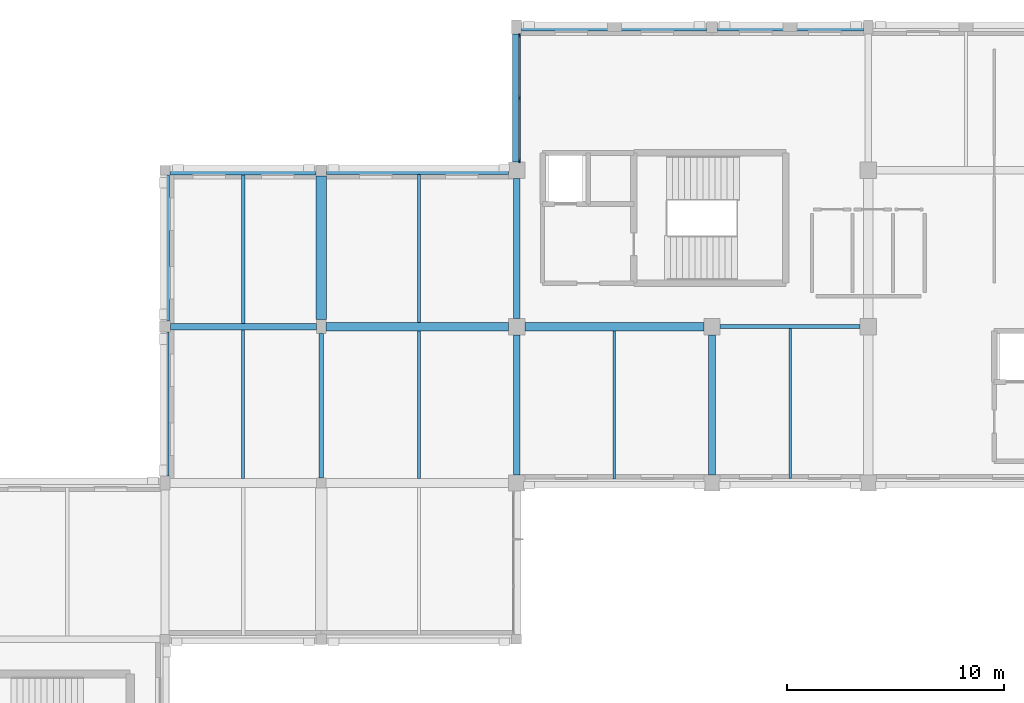
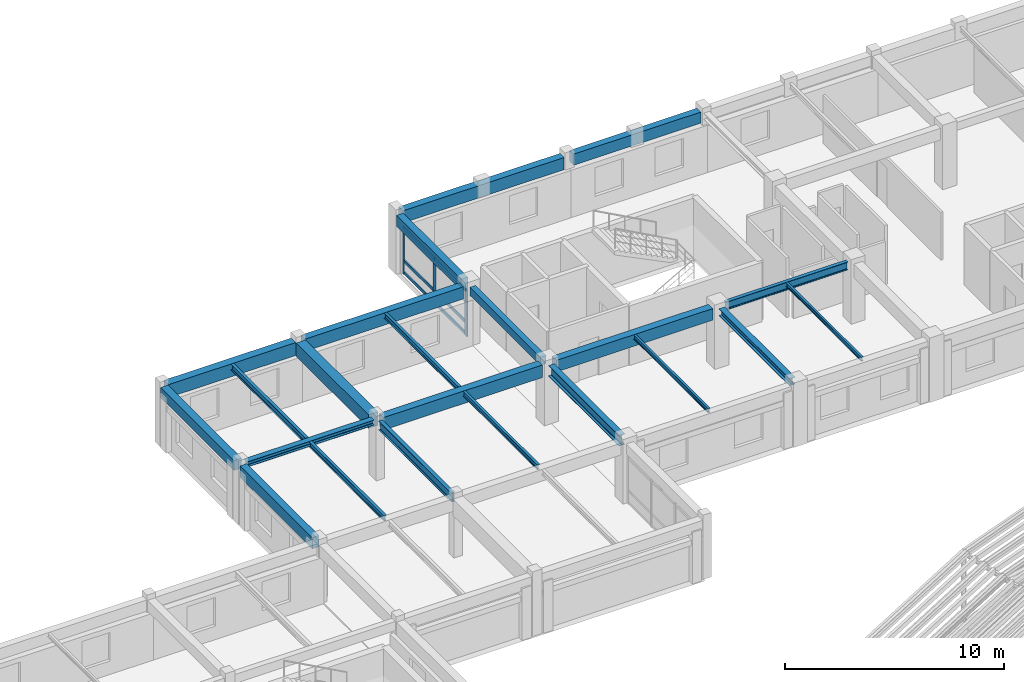
# One storey, part 33 of 74: 22 beams, 9 members, 1 element without a shape of its own.
"""IFC4 building model written with IfcOpenShell, lengths in metres."""

from ifc_helpers import new_model, si_unit, direction, frame, origin, origin_2d, place, context, subcontext, project, spatial, rectangle, i_section, extrude, material, material_profile, profile_set, type_object, element, aggregate, save


model = new_model("IFC4")

# Units and contexts
model_context = context("Model", 3, precision=1e-05, world=origin(), true_north=direction((0.0, 1.0)))
body_context = subcontext(model_context, "Body", "Model", "MODEL_VIEW")
ifc_project = project(units=[si_unit("LENGTHUNIT", "METRE"), si_unit("AREAUNIT", "SQUARE_METRE"), si_unit("VOLUMEUNIT", "CUBIC_METRE"), si_unit("PLANEANGLEUNIT", "RADIAN"), si_unit("MASSUNIT", "GRAM", prefix="KILO")], contexts=[model_context])

# Site, building, storey
site_placement = place(None, origin())
site = spatial("IfcSite", under=ifc_project, at=site_placement, CompositionType="ELEMENT")
building_placement = place(site_placement, origin())
building = spatial("IfcBuilding", under=site, at=building_placement, Name="Clarverna Civic Hall", CompositionType="ELEMENT")
storey_placement = place(building_placement, frame((0.0, 0.0, 13.199951171875)))
storey = spatial("IfcBuildingStorey", under=building, at=storey_placement, Name="L03", CompositionType="ELEMENT", Elevation=13.199951171875)

# Beams
ifc_material_1 = material(Name="Concrete C35/45", Category="concrete")
ifc_material_profile_1 = material_profile(ifc_material_1, rectangle(XDim=0.5, YDim=0.75, at=origin_2d()), Name="RC 500x750")
ifc_profile_set_1 = profile_set([ifc_material_profile_1], Name="Concrete C35/45")
beam_type_1 = type_object("IfcBeamType", Name="B-RC15", PredefinedType="BEAM", material=ifc_profile_set_1)
beam_1_placement = place(storey_placement, frame((104.39990234375, 102.52490234375, 2.925048828125), z_axis=(0.0, 1.0, 0.0), x_axis=(-1.0, 0.0, 0.0)))
element("IfcBeam", 1, at=beam_1_placement, inside=storey, type_object=beam_type_1, Name="B-RC15-044", PredefinedType="BEAM", context=body_context, shape_type="SweptSolid", body=[
    extrude(rectangle(XDim=0.5, YDim=0.75, at=origin_2d()), origin(), (0.0, 0.0, 1.0), 6.625),
])
ifc_material_profile_2 = material_profile(ifc_material_1, rectangle(XDim=0.300048828125, YDim=0.449951171875, at=origin_2d()), Name="RC 300x450")
ifc_profile_set_2 = profile_set([ifc_material_profile_2], Name="Concrete C35/45")
beam_type_2 = type_object("IfcBeamType", Name="B-RC18", PredefinedType="BEAM", material=ifc_profile_set_2)
beam_2_placement = place(storey_placement, frame((113.39990234375, 102.574951171875, 3.074951171875), z_axis=(0.0, 1.0, 0.0), x_axis=(-1.0, 0.0, 0.0)))
element("IfcBeam", 2, at=beam_2_placement, inside=storey, type_object=beam_type_2, Name="B-RC18-039", PredefinedType="BEAM", context=body_context, shape_type="SweptSolid", body=[
    extrude(rectangle(XDim=0.300048828125, YDim=0.449951171875, at=origin_2d()), origin(), (0.0, 0.0, 1.0), 6.449951171875),
])
ifc_material_profile_3 = material_profile(ifc_material_1, rectangle(XDim=0.39990234375, YDim=0.699951171875, at=origin_2d()), Name="RC 400x700")
ifc_profile_set_3 = profile_set([ifc_material_profile_3], Name="Concrete C35/45")
beam_type_3 = type_object("IfcBeamType", Name="B-RC5", PredefinedType="BEAM", material=ifc_profile_set_3)
beam_3_placement = place(storey_placement, frame((104.625, 102.199951171875, 2.949951171875), z_axis=(1.0, 0.0, 0.0), x_axis=(0.0, 1.0, 0.0)))
element("IfcBeam", 3, at=beam_3_placement, inside=storey, type_object=beam_type_3, Name="B-RC5-034", PredefinedType="BEAM", context=body_context, shape_type="SweptSolid", body=[
    extrude(rectangle(XDim=0.39990234375, YDim=0.699951171875, at=origin_2d()), origin(), (0.0, 0.0, 1.0), 8.39990234375),
])
ifc_material_profile_4 = material_profile(ifc_material_1, rectangle(XDim=0.39990234375, YDim=0.64990234375, at=origin_2d()), Name="RC 400x650")
ifc_profile_set_4 = profile_set([ifc_material_profile_4], Name="Concrete C35/45")
beam_type_4 = type_object("IfcBeamType", Name="B-RC6", PredefinedType="BEAM", material=ifc_profile_set_4)
beam_4_placement = place(storey_placement, frame((113.77490234375, 102.199951171875, 2.97509765625), z_axis=(1.0, 0.0, 0.0), x_axis=(0.0, 1.0, 0.0)))
element("IfcBeam", 4, at=beam_4_placement, inside=storey, type_object=beam_type_4, Name="B-RC6-046", PredefinedType="BEAM", context=body_context, shape_type="SweptSolid", body=[
    extrude(rectangle(XDim=0.39990234375, YDim=0.64990234375, at=origin_2d()), origin(), (0.0, 0.0, 1.0), 8.25),
])
ifc_material_profile_5 = material_profile(ifc_material_1, rectangle(XDim=0.419921875, YDim=0.719970703125, at=origin_2d()), Name="RC 420x720")
ifc_profile_set_5 = profile_set([ifc_material_profile_5], Name="Concrete C35/45")
beam_type_5 = type_object("IfcBeamType", Name="B-SP1", PredefinedType="SPANDREL", material=ifc_profile_set_5)
beam_5_placement = place(storey_placement, frame((97.425048828125, 109.39990234375, 2.93994140625), z_axis=(1.0, 0.0, 0.0), x_axis=(0.0, 1.0, 0.0)))
element("IfcBeam", 5, at=beam_5_placement, inside=storey, type_object=beam_type_5, Name="B-SP1-114", PredefinedType="SPANDREL", context=body_context, shape_type="SweptSolid", body=[
    extrude(rectangle(XDim=0.419921875, YDim=0.719970703125, at=origin_2d()), origin(), (0.0, 0.0, 1.0), 6.724853515625),
])
ifc_material_profile_6 = material_profile(ifc_material_1, rectangle(XDim=0.3798828125, YDim=0.679931640625, at=origin_2d()), Name="RC 380x680")
ifc_profile_set_6 = profile_set([ifc_material_profile_6], Name="Concrete C35/45")
beam_type_6 = type_object("IfcBeamType", Name="B-SP2", PredefinedType="SPANDREL", material=ifc_profile_set_6)
beam_6_placement = place(storey_placement, frame((104.64990234375, 109.39990234375, 2.9599609375), z_axis=(1.0, 0.0, 0.0), x_axis=(0.0, 1.0, 0.0)))
element("IfcBeam", 6, at=beam_6_placement, inside=storey, type_object=beam_type_6, Name="B-SP2-118", PredefinedType="SPANDREL", context=body_context, shape_type="SweptSolid", body=[
    extrude(rectangle(XDim=0.3798828125, YDim=0.679931640625, at=origin_2d()), origin(), (0.0, 0.0, 1.0), 8.375),
])
beam_7_placement = place(storey_placement, frame((113.625, 116.0, 2.97998046875), z_axis=(1.0, 0.0, 0.0), x_axis=(0.0, 1.0, 0.0)))
element("IfcBeam", 7, at=beam_7_placement, inside=storey, type_object=beam_type_6, Name="B-SP2-121", PredefinedType="SPANDREL", context=body_context, shape_type="SweptSolid", body=[
    extrude(rectangle(XDim=0.3798828125, YDim=0.679931640625, at=origin_2d()), origin(), (0.0, 0.0, 1.0), 8.52490234375),
])
ifc_material_profile_7 = material_profile(ifc_material_1, rectangle(XDim=0.360107421875, YDim=0.6201171875, at=origin_2d()), Name="RC 360x620")
ifc_profile_set_7 = profile_set([ifc_material_profile_7], Name="Concrete C35/45")
beam_type_7 = type_object("IfcBeamType", Name="B-SP3", PredefinedType="SPANDREL", material=ifc_profile_set_7)
beam_8_placement = place(storey_placement, frame((122.64990234375, 116.0, 3.010009765625), z_axis=(1.0, 0.0, 0.0), x_axis=(0.0, 1.0, 0.0)))
element("IfcBeam", 8, at=beam_8_placement, inside=storey, type_object=beam_type_7, Name="B-SP3-118", PredefinedType="SPANDREL", context=body_context, shape_type="SweptSolid", body=[
    extrude(rectangle(XDim=0.360107421875, YDim=0.6201171875, at=origin_2d()), origin(), (0.0, 0.0, 1.0), 6.72509765625),
])
beam_9_placement = place(storey_placement, frame((97.199951171875, 95.324951171875, 2.989990234375), z_axis=(0.0, 1.0, 0.0), x_axis=(-1.0, 0.0, 0.0)))
element("IfcBeam", 9, at=beam_9_placement, inside=storey, type_object=beam_type_7, Name="B-SP3-127", PredefinedType="SPANDREL", context=body_context, shape_type="SweptSolid", body=[
    extrude(rectangle(XDim=0.360107421875, YDim=0.6201171875, at=origin_2d()), origin(), (0.0, 0.0, 1.0), 6.625),
])
beam_10_placement = place(storey_placement, frame((113.39990234375, 109.77490234375, 2.989990234375), z_axis=(0.0, 1.0, 0.0), x_axis=(-1.0, 0.0, 0.0)))
element("IfcBeam", 10, at=beam_10_placement, inside=storey, type_object=beam_type_7, Name="B-SP3-128", PredefinedType="SPANDREL", context=body_context, shape_type="SweptSolid", body=[
    extrude(rectangle(XDim=0.360107421875, YDim=0.6201171875, at=origin_2d()), origin(), (0.0, 0.0, 1.0), 5.900146484375),
])
ifc_material_profile_8 = material_profile(ifc_material_1, rectangle(XDim=0.39990234375, YDim=0.56005859375, at=origin_2d()), Name="RC 400x560")
ifc_profile_set_8 = profile_set([ifc_material_profile_8], Name="Concrete C35/45")
beam_type_8 = type_object("IfcBeamType", Name="B-SP4", PredefinedType="SPANDREL", material=ifc_profile_set_8)
beam_11_placement = place(storey_placement, frame((97.199951171875, 102.449951171875, 3.02001953125), z_axis=(0.0, 1.0, 0.0), x_axis=(-1.0, 0.0, 0.0)))
element("IfcBeam", 11, at=beam_11_placement, inside=storey, type_object=beam_type_8, Name="B-SP4-127", PredefinedType="SPANDREL", context=body_context, shape_type="SweptSolid", body=[
    extrude(rectangle(XDim=0.39990234375, YDim=0.56005859375, at=origin_2d()), origin(), (0.0, 0.0, 1.0), 6.72509765625),
])
ifc_material_2 = material(Name="Steel S355", Category="steel")
ifc_material_profile_9 = material_profile(ifc_material_2, i_section(OverallWidth=0.300048828125, OverallDepth=0.60009765625, WebThickness=0.015380859375, FlangeThickness=0.030029296875, FilletRadius=0.027099609375, at=origin_2d()), Name="HEB 600")
ifc_profile_set_9 = profile_set([ifc_material_profile_9], Name="Steel S355")
beam_type_9 = type_object("IfcBeamType", Name="B-ST1", PredefinedType="BEAM", material=ifc_profile_set_9)
beam_12_placement = place(storey_placement, frame((113.39990234375, 95.375, 3.0), z_axis=(0.0, 1.0, 0.0), x_axis=(-1.0, 0.0, 0.0)))
element("IfcBeam", 12, at=beam_12_placement, inside=storey, type_object=beam_type_9, Name="B-ST1-017", PredefinedType="BEAM", context=body_context, shape_type="SweptSolid", body=[
    extrude(i_section(OverallWidth=0.300048828125, OverallDepth=0.60009765625, WebThickness=0.015380859375, FlangeThickness=0.030029296875, FilletRadius=0.027099609375, at=origin_2d()), origin(), (0.0, 0.0, 1.0), 6.449951171875),
])
ifc_material_profile_10 = material_profile(ifc_material_2, i_section(OverallWidth=0.300048828125, OverallDepth=0.2900390625, WebThickness=0.008544921875, FlangeThickness=0.013916015625, FilletRadius=0.027099609375, at=origin_2d()), Name="HEA 300")
ifc_profile_set_10 = profile_set([ifc_material_profile_10], Name="Steel S355")
beam_type_10 = type_object("IfcBeamType", Name="B-ST10", PredefinedType="BEAM", material=ifc_profile_set_10)
beam_13_placement = place(storey_placement, frame((97.449951171875, 102.199951171875, 3.155029296875), z_axis=(1.0, 0.0, 0.0), x_axis=(0.0, 1.0, 0.0)))
element("IfcBeam", 13, at=beam_13_placement, inside=storey, type_object=beam_type_10, Name="B-ST10-013", PredefinedType="BEAM", context=body_context, shape_type="SweptSolid", body=[
    extrude(i_section(OverallWidth=0.300048828125, OverallDepth=0.2900390625, WebThickness=0.008544921875, FlangeThickness=0.013916015625, FilletRadius=0.027099609375, at=origin_2d()), origin(), (0.0, 0.0, 1.0), 6.72509765625),
])
ifc_material_profile_11 = material_profile(ifc_material_2, i_section(OverallWidth=0.199951171875, OverallDepth=0.5, WebThickness=0.01025390625, FlangeThickness=0.01611328125, FilletRadius=0.02099609375, at=origin_2d()), Name="IPE 500")
ifc_profile_set_11 = profile_set([ifc_material_profile_11], Name="Steel S355")
beam_type_11 = type_object("IfcBeamType", Name="B-ST12", PredefinedType="BEAM", material=ifc_profile_set_11)
beam_14_placement = place(storey_placement, frame((104.39990234375, 95.22509765625, 3.050048828125), z_axis=(0.0, 1.0, 0.0), x_axis=(-1.0, 0.0, 0.0)))
element("IfcBeam", 14, at=beam_14_placement, inside=storey, type_object=beam_type_11, Name="B-ST12-017", PredefinedType="BEAM", context=body_context, shape_type="SweptSolid", body=[
    extrude(i_section(OverallWidth=0.199951171875, OverallDepth=0.5, WebThickness=0.01025390625, FlangeThickness=0.01611328125, FilletRadius=0.02099609375, at=origin_2d()), origin(), (0.0, 0.0, 1.0), 6.64990234375),
])
ifc_material_profile_12 = material_profile(ifc_material_2, i_section(OverallWidth=0.18994140625, OverallDepth=0.449951171875, WebThickness=0.009521484375, FlangeThickness=0.0146484375, FilletRadius=0.02099609375, at=origin_2d()), Name="IPE 450")
ifc_profile_set_12 = profile_set([ifc_material_profile_12], Name="Steel S355")
beam_type_12 = type_object("IfcBeamType", Name="B-ST13", PredefinedType="BEAM", material=ifc_profile_set_12)
beam_15_placement = place(storey_placement, frame((122.77490234375, 102.199951171875, 3.094970703125), z_axis=(1.0, 0.0, 0.0), x_axis=(0.0, 1.0, 0.0)))
element("IfcBeam", 15, at=beam_15_placement, inside=storey, type_object=beam_type_12, Name="B-ST13-014", PredefinedType="BEAM", context=body_context, shape_type="SweptSolid", body=[
    extrude(i_section(OverallWidth=0.18994140625, OverallDepth=0.449951171875, WebThickness=0.009521484375, FlangeThickness=0.0146484375, FilletRadius=0.02099609375, at=origin_2d()), origin(), (0.0, 0.0, 1.0), 6.4501953125),
])
ifc_material_profile_13 = material_profile(ifc_material_2, i_section(OverallWidth=0.300048828125, OverallDepth=0.39990234375, WebThickness=0.013427734375, FlangeThickness=0.02392578125, FilletRadius=0.027099609375, at=origin_2d()), Name="HEB 400")
ifc_profile_set_13 = profile_set([ifc_material_profile_13], Name="Steel S355")
beam_type_13 = type_object("IfcBeamType", Name="B-ST4", PredefinedType="BEAM", material=ifc_profile_set_13)
beam_16_placement = place(storey_placement, frame((122.39990234375, 95.375, 3.1201171875), z_axis=(0.0, 1.0, 0.0), x_axis=(-1.0, 0.0, 0.0)))
element("IfcBeam", 16, at=beam_16_placement, inside=storey, type_object=beam_type_13, Name="B-ST4-014", PredefinedType="BEAM", context=body_context, shape_type="SweptSolid", body=[
    extrude(i_section(OverallWidth=0.300048828125, OverallDepth=0.39990234375, WebThickness=0.013427734375, FlangeThickness=0.02392578125, FilletRadius=0.027099609375, at=origin_2d()), origin(), (0.0, 0.0, 1.0), 6.449951171875),
])

# Curtain wall, members
ifc_material_3 = material(Name="Anodised Bronze Architectural Aluminium", Category="aluminium")
curtain_wall_type = type_object("IfcCurtainWallType", Name="CW-01", PredefinedType="USERDEFINED", material=ifc_material_3)
curtain_wall_placement = place(storey_placement, origin())
curtain_wall = element("IfcCurtainWall", 17, at=curtain_wall_placement, inside=storey, type_object=curtain_wall_type, Name="CW-01-063", ObjectType="UNITISED CURTAIN WALL", PredefinedType="USERDEFINED")
ifc_material_profile_14 = material_profile(ifc_material_3, rectangle(XDim=0.06494140625, YDim=0.199951171875, at=origin_2d()), Name="BRONZE 65x200")
ifc_profile_set_14 = profile_set([ifc_material_profile_14], Name="Anodised Bronze Architectural Aluminium")
member_type_1 = type_object("IfcMemberType", Name="CWM-03", PredefinedType="MULLION", material=ifc_profile_set_14)
member_1_placement = place(storey_placement, frame((113.5400390625, 109.847900390625, 0.0), z_axis=(0.0, 0.0, 1.0), x_axis=(1.0, 0.0, 0.0)))
member_1 = element("IfcMember", 18, at=member_1_placement, type_object=member_type_1, Name="CWM-03-125", PredefinedType="MULLION", context=body_context, shape_type="SweptSolid", body=[
    extrude(rectangle(XDim=0.06494140625, YDim=0.199951171875, at=origin_2d()), origin(), (0.0, 0.0, 1.0), 2.64013671875),
])
member_2_placement = place(storey_placement, frame((113.5400390625, 112.72509765625, 0.0), z_axis=(0.0, 0.0, 1.0), x_axis=(1.0, 0.0, 0.0)))
member_2 = element("IfcMember", 19, at=member_2_placement, type_object=member_type_1, Name="CWM-03-126", PredefinedType="MULLION", context=body_context, shape_type="SweptSolid", body=[
    extrude(rectangle(XDim=0.06494140625, YDim=0.199951171875, at=origin_2d()), origin(), (0.0, 0.0, 1.0), 2.64013671875),
])
member_3_placement = place(storey_placement, frame((113.5400390625, 115.60205078125, 0.0), z_axis=(0.0, 0.0, 1.0), x_axis=(1.0, 0.0, 0.0)))
member_3 = element("IfcMember", 20, at=member_3_placement, type_object=member_type_1, Name="CWM-03-127", PredefinedType="MULLION", context=body_context, shape_type="SweptSolid", body=[
    extrude(rectangle(XDim=0.06494140625, YDim=0.199951171875, at=origin_2d()), origin(), (0.0, 0.0, 1.0), 2.64013671875),
])
ifc_material_profile_15 = material_profile(ifc_material_3, rectangle(XDim=0.06494140625, YDim=0.169921875, at=origin_2d()), Name="BRONZE 65x170")
ifc_profile_set_15 = profile_set([ifc_material_profile_15], Name="Anodised Bronze Architectural Aluminium")
member_type_2 = type_object("IfcMemberType", Name="CWT-03", PredefinedType="USERDEFINED", material=ifc_profile_set_15)
member_4_placement = place(storey_placement, frame((113.5400390625, 109.863037109375, 0.094970703125), z_axis=(0.0, 1.0, 0.0), x_axis=(-1.0, 0.0, 0.0)))
member_4 = element("IfcMember", 21, at=member_4_placement, type_object=member_type_2, Name="CWT-03-265", ObjectType="TRANSOM", PredefinedType="USERDEFINED", context=body_context, shape_type="SweptSolid", body=[
    extrude(rectangle(XDim=0.06494140625, YDim=0.169921875, at=origin_2d()), origin(), (0.0, 0.0, 1.0), 2.846923828125),
])
member_5_placement = place(storey_placement, frame((113.5400390625, 109.863037109375, 0.75), z_axis=(0.0, 1.0, 0.0), x_axis=(-1.0, 0.0, 0.0)))
member_5 = element("IfcMember", 22, at=member_5_placement, type_object=member_type_2, Name="CWT-03-266", ObjectType="TRANSOM", PredefinedType="USERDEFINED", context=body_context, shape_type="SweptSolid", body=[
    extrude(rectangle(XDim=0.06494140625, YDim=0.169921875, at=origin_2d()), origin(), (0.0, 0.0, 1.0), 2.846923828125),
])
member_6_placement = place(storey_placement, frame((113.5400390625, 109.863037109375, 2.545166015625), z_axis=(0.0, 1.0, 0.0), x_axis=(-1.0, 0.0, 0.0)))
member_6 = element("IfcMember", 23, at=member_6_placement, type_object=member_type_2, Name="CWT-03-267", ObjectType="TRANSOM", PredefinedType="USERDEFINED", context=body_context, shape_type="SweptSolid", body=[
    extrude(rectangle(XDim=0.06494140625, YDim=0.169921875, at=origin_2d()), origin(), (0.0, 0.0, 1.0), 2.846923828125),
])
member_7_placement = place(storey_placement, frame((113.5400390625, 112.739990234375, 0.094970703125), z_axis=(0.0, 1.0, 0.0), x_axis=(-1.0, 0.0, 0.0)))
member_7 = element("IfcMember", 24, at=member_7_placement, type_object=member_type_2, Name="CWT-03-268", ObjectType="TRANSOM", PredefinedType="USERDEFINED", context=body_context, shape_type="SweptSolid", body=[
    extrude(rectangle(XDim=0.06494140625, YDim=0.169921875, at=origin_2d()), origin(), (0.0, 0.0, 1.0), 2.846923828125),
])
member_8_placement = place(storey_placement, frame((113.5400390625, 112.739990234375, 0.75), z_axis=(0.0, 1.0, 0.0), x_axis=(-1.0, 0.0, 0.0)))
member_8 = element("IfcMember", 25, at=member_8_placement, type_object=member_type_2, Name="CWT-03-269", ObjectType="TRANSOM", PredefinedType="USERDEFINED", context=body_context, shape_type="SweptSolid", body=[
    extrude(rectangle(XDim=0.06494140625, YDim=0.169921875, at=origin_2d()), origin(), (0.0, 0.0, 1.0), 2.846923828125),
])
member_9_placement = place(storey_placement, frame((113.5400390625, 112.739990234375, 2.545166015625), z_axis=(0.0, 1.0, 0.0), x_axis=(-1.0, 0.0, 0.0)))
member_9 = element("IfcMember", 26, at=member_9_placement, type_object=member_type_2, Name="CWT-03-270", ObjectType="TRANSOM", PredefinedType="USERDEFINED", context=body_context, shape_type="SweptSolid", body=[
    extrude(rectangle(XDim=0.06494140625, YDim=0.169921875, at=origin_2d()), origin(), (0.0, 0.0, 1.0), 2.846923828125),
])
aggregate(curtain_wall, [member_1, member_2, member_3, member_4, member_5, member_6, member_7, member_8, member_9])

# Beams
ifc_material_profile_16 = material_profile(ifc_material_2, i_section(OverallWidth=0.159912109375, OverallDepth=0.330078125, WebThickness=0.007568359375, FlangeThickness=0.011474609375, FilletRadius=0.01806640625, at=origin_2d()), Name="IPE 330")
ifc_profile_set_16 = profile_set([ifc_material_profile_16], Name="Steel S355")
beam_type_14 = type_object("IfcBeamType", Name="J-ST2", PredefinedType="JOIST", material=ifc_profile_set_16)
beam_17_placement = place(storey_placement, frame((100.800048828125, 102.35009765625, 3.135009765625), z_axis=(0.0, 1.0, 0.0), x_axis=(-1.0, 0.0, 0.0)))
element("IfcBeam", 27, at=beam_17_placement, inside=storey, type_object=beam_type_14, Name="J-ST2-066", PredefinedType="JOIST", context=body_context, shape_type="SweptSolid", body=[
    extrude(i_section(OverallWidth=0.159912109375, OverallDepth=0.330078125, WebThickness=0.007568359375, FlangeThickness=0.011474609375, FilletRadius=0.01806640625, at=origin_2d()), origin(), (0.0, 0.0, 1.0), 6.83984375),
])
ifc_material_profile_17 = material_profile(ifc_material_2, i_section(OverallWidth=0.14990234375, OverallDepth=0.300048828125, WebThickness=0.007080078125, FlangeThickness=0.0107421875, FilletRadius=0.014892578125, at=origin_2d()), Name="IPE 300")
ifc_profile_set_17 = profile_set([ifc_material_profile_17], Name="Steel S355")
beam_type_15 = type_object("IfcBeamType", Name="J-ST3", PredefinedType="JOIST", material=ifc_profile_set_17)
beam_18_placement = place(storey_placement, frame((100.800048828125, 95.199951171875, 3.150146484375), z_axis=(0.0, 1.0, 0.0), x_axis=(-1.0, 0.0, 0.0)))
element("IfcBeam", 28, at=beam_18_placement, inside=storey, type_object=beam_type_15, Name="J-ST3-064", PredefinedType="JOIST", context=body_context, shape_type="SweptSolid", body=[
    extrude(i_section(OverallWidth=0.14990234375, OverallDepth=0.300048828125, WebThickness=0.007080078125, FlangeThickness=0.0107421875, FilletRadius=0.014892578125, at=origin_2d()), origin(), (0.0, 0.0, 1.0), 6.85009765625),
])
beam_19_placement = place(storey_placement, frame((108.89990234375, 102.39990234375, 3.150146484375), z_axis=(0.0, 1.0, 0.0), x_axis=(-1.0, 0.0, 0.0)))
element("IfcBeam", 29, at=beam_19_placement, inside=storey, type_object=beam_type_15, Name="J-ST3-066", PredefinedType="JOIST", context=body_context, shape_type="SweptSolid", body=[
    extrude(i_section(OverallWidth=0.14990234375, OverallDepth=0.300048828125, WebThickness=0.007080078125, FlangeThickness=0.0107421875, FilletRadius=0.014892578125, at=origin_2d()), origin(), (0.0, 0.0, 1.0), 6.81005859375),
])
ifc_material_profile_18 = material_profile(ifc_material_2, i_section(OverallWidth=0.135009765625, OverallDepth=0.27001953125, WebThickness=0.006591796875, FlangeThickness=0.01025390625, FilletRadius=0.014892578125, at=origin_2d()), Name="IPE 270")
ifc_profile_set_18 = profile_set([ifc_material_profile_18], Name="Steel S355")
beam_type_16 = type_object("IfcBeamType", Name="J-ST4", PredefinedType="JOIST", material=ifc_profile_set_18)
beam_20_placement = place(storey_placement, frame((108.89990234375, 95.199951171875, 3.1650390625), z_axis=(0.0, 1.0, 0.0), x_axis=(-1.0, 0.0, 0.0)))
element("IfcBeam", 30, at=beam_20_placement, inside=storey, type_object=beam_type_16, Name="J-ST4-066", PredefinedType="JOIST", context=body_context, shape_type="SweptSolid", body=[
    extrude(i_section(OverallWidth=0.135009765625, OverallDepth=0.27001953125, WebThickness=0.006591796875, FlangeThickness=0.01025390625, FilletRadius=0.014892578125, at=origin_2d()), origin(), (0.0, 0.0, 1.0), 6.800048828125),
])
ifc_material_profile_19 = material_profile(ifc_material_2, i_section(OverallWidth=0.1201171875, OverallDepth=0.239990234375, WebThickness=0.006103515625, FlangeThickness=0.009765625, FilletRadius=0.014892578125, at=origin_2d()), Name="IPE 240")
ifc_profile_set_19 = profile_set([ifc_material_profile_19], Name="Steel S355")
beam_type_17 = type_object("IfcBeamType", Name="J-ST5", PredefinedType="JOIST", material=ifc_profile_set_19)
beam_21_placement = place(storey_placement, frame((117.89990234375, 95.179931640625, 3.179931640625), z_axis=(0.0, 1.0, 0.0), x_axis=(-1.0, 0.0, 0.0)))
element("IfcBeam", 31, at=beam_21_placement, inside=storey, type_object=beam_type_17, Name="J-ST5-063", PredefinedType="JOIST", context=body_context, shape_type="SweptSolid", body=[
    extrude(i_section(OverallWidth=0.1201171875, OverallDepth=0.239990234375, WebThickness=0.006103515625, FlangeThickness=0.009765625, FilletRadius=0.014892578125, at=origin_2d()), origin(), (0.0, 0.0, 1.0), 6.820068359375),
])
ifc_material_profile_20 = material_profile(ifc_material_2, i_section(OverallWidth=0.110107421875, OverallDepth=0.219970703125, WebThickness=0.005859375, FlangeThickness=0.00927734375, FilletRadius=0.011962890625, at=origin_2d()), Name="IPE 220")
ifc_profile_set_20 = profile_set([ifc_material_profile_20], Name="Steel S355")
beam_type_18 = type_object("IfcBeamType", Name="J-ST6", PredefinedType="JOIST", material=ifc_profile_set_20)
beam_22_placement = place(storey_placement, frame((126.0, 95.199951171875, 3.2099609375), z_axis=(0.0, 1.0, 0.0), x_axis=(-1.0, 0.0, 0.0)))
element("IfcBeam", 32, at=beam_22_placement, inside=storey, type_object=beam_type_18, Name="J-ST6-064", PredefinedType="JOIST", context=body_context, shape_type="SweptSolid", body=[
    extrude(i_section(OverallWidth=0.110107421875, OverallDepth=0.219970703125, WebThickness=0.005859375, FlangeThickness=0.00927734375, FilletRadius=0.011962890625, at=origin_2d()), origin(), (0.0, 0.0, 1.0), 6.905029296875),
])

save(model, "model.ifc")
